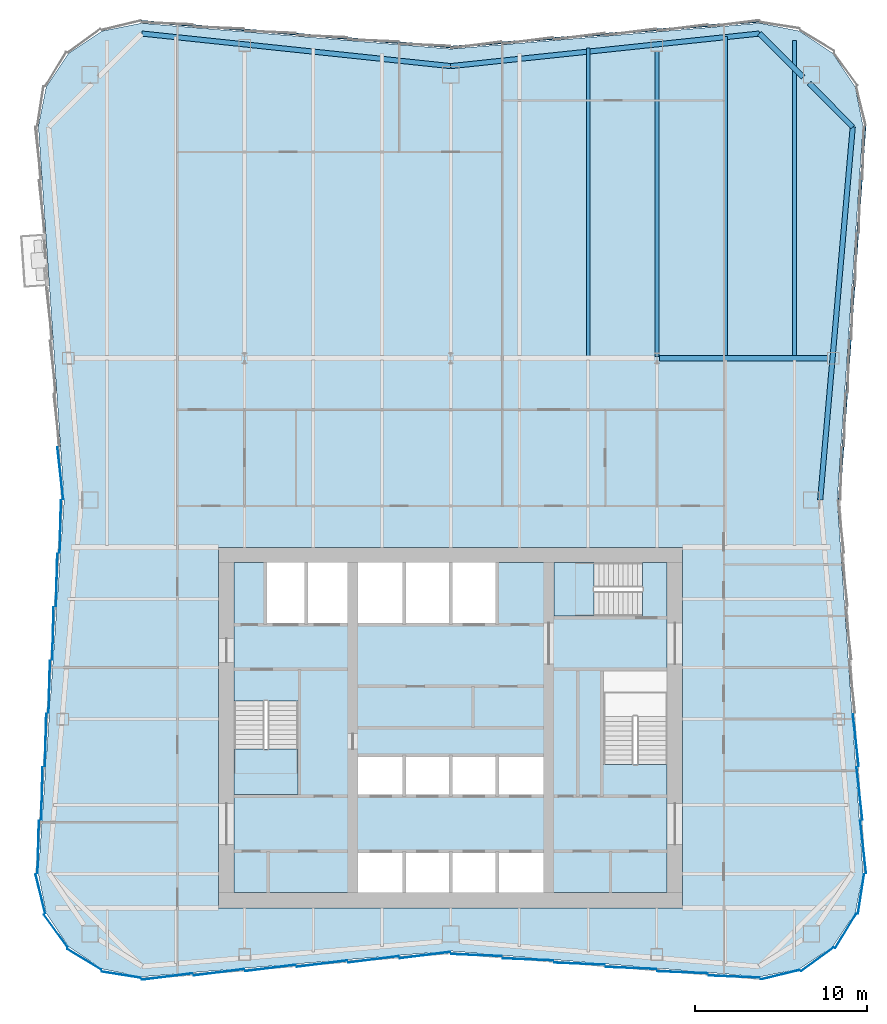
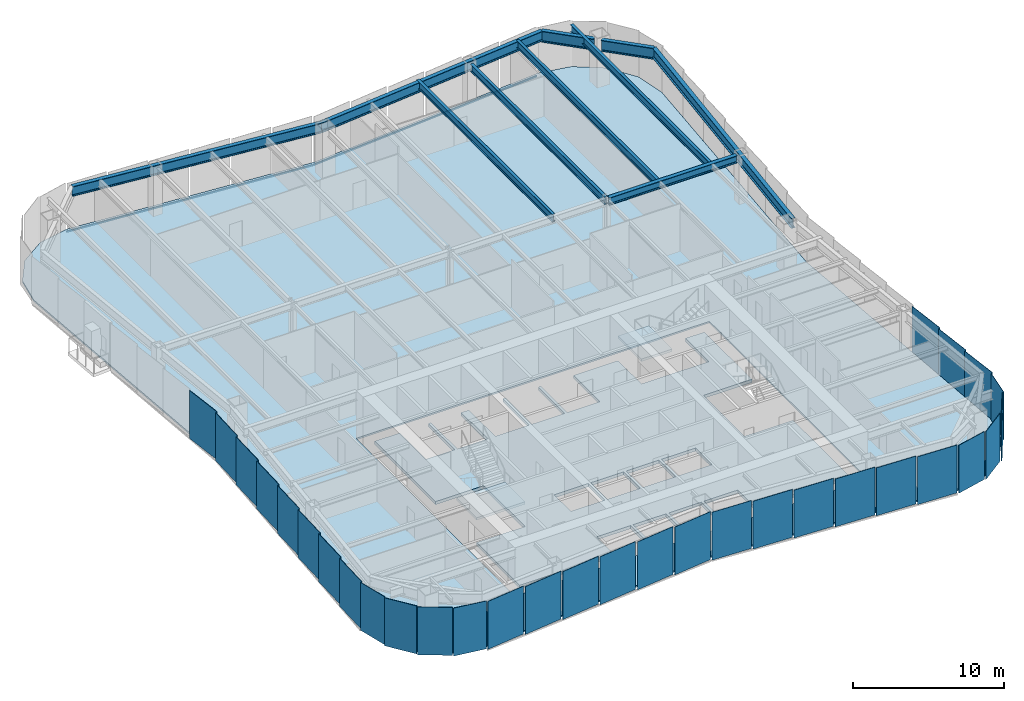
# One storey, part 3 of 10: 31 plates, 10 beams, 4 slabs, 3 members, 8 elements without a shape of their own.
"""IFC4 building model written with IfcOpenShell, lengths in metres."""

import ifcopenshell
import ifcopenshell.guid

model = None  # the IFC model being written
_history = None  # IfcOwnerHistory: only IFC2X3 demands one
_inside = {}  # id of a spatial element -> (the spatial element, [elements in it])
_under = {}  # id of a project, library or spatial element -> (it, [spatial elements below it])
_declared = {}  # id of a project -> (the project, [libraries it declares])
_typed = {}  # id of a type object -> (the type object, [elements of that type])
_made_of = {}  # id of a material, layer set ... -> (it, [elements and type objects made of it])


def new_model(schema):
    """Start an empty IFC model of exactly this schema.

    Asked for "IFC4X3", IfcOpenShell would pick the latest addendum, in which some entities
    have other attributes; the version numbers below select the first issue.
    IFC2X3 requires an IfcOwnerHistory on every rooted entity: one is made here for all.
    """
    global model, _history
    if schema == "IFC4X3":
        model = ifcopenshell.file(schema_version=(4, 3, 0, 0))
    else:
        model = ifcopenshell.file(schema=schema)
    _inside.clear()
    _under.clear()
    _declared.clear()
    _typed.clear()
    _made_of.clear()
    _history = None
    if model.schema == "IFC2X3":
        org = make("IfcOrganization", Name="unknown")
        user = make(
            "IfcPersonAndOrganization",
            ThePerson=make("IfcPerson", FamilyName="unknown"),
            TheOrganization=org,
        )
        app = make(
            "IfcApplication",
            ApplicationDeveloper=org,
            Version="unknown",
            ApplicationFullName="unknown",
            ApplicationIdentifier="unknown",
        )
        _history = make(
            "IfcOwnerHistory",
            OwningUser=user,
            OwningApplication=app,
            ChangeAction="ADDED",
            CreationDate=0,
        )
    return model


def make(cls, **values):
    """One entity of the class cls with the attributes given. An attribute that is None is left unset."""
    return model.create_entity(
        cls, **{name: value for name, value in values.items() if value is not None}
    )


def rooted(cls, **values):
    """An entity with a GlobalId (a new one), such as an element, a storey or a relation."""
    return make(cls, GlobalId=ifcopenshell.guid.new(), OwnerHistory=_history, **values)


def si_unit(unit_type, name, prefix=None):
    """IfcSIUnit, for example si_unit("LENGTHUNIT", "METRE", prefix="MILLI")."""
    return make("IfcSIUnit", UnitType=unit_type, Prefix=prefix, Name=name)


def assignment(units):
    """IfcUnitAssignment: the units of a project."""
    return None if units is None else make("IfcUnitAssignment", Units=units)


def point(xyz):
    """IfcCartesianPoint."""
    return None if xyz is None else make("IfcCartesianPoint", Coordinates=xyz)


def direction(xyz):
    """IfcDirection."""
    return None if xyz is None else make("IfcDirection", DirectionRatios=xyz)


def frame(location, z_axis=None, x_axis=None):
    """IfcAxis2Placement3D, a coordinate frame: its origin and axes. An axis left out is left unset."""
    return make(
        "IfcAxis2Placement3D",
        Location=point(location),
        Axis=direction(z_axis),
        RefDirection=direction(x_axis),
    )


def frame_2d(location, x_axis=None):
    """IfcAxis2Placement2D, a coordinate frame in the plane: its origin and x axis."""
    return make(
        "IfcAxis2Placement2D", Location=point(location), RefDirection=direction(x_axis)
    )


def origin():
    """The frame at (0, 0, 0) with its axes left unset."""
    return frame((0.0, 0.0, 0.0))


def origin_2d():
    """The frame at (0, 0) in the plane with its x axis left unset."""
    return frame_2d((0.0, 0.0))


def place(relative_to, where):
    """IfcLocalPlacement: puts the frame where relative to a parent placement (None: the world)."""
    return make(
        "IfcLocalPlacement", PlacementRelTo=relative_to, RelativePlacement=where
    )


def context(
    kind, dimensions, precision=None, world=None, true_north=None, identifier=None
):
    """IfcGeometricRepresentationContext, for example the 3D "Model" context."""
    return make(
        "IfcGeometricRepresentationContext",
        ContextIdentifier=identifier,
        ContextType=kind,
        CoordinateSpaceDimension=dimensions,
        Precision=precision,
        WorldCoordinateSystem=world,
        TrueNorth=true_north,
    )


def subcontext(parent, identifier, kind, view, scale=None):
    """IfcGeometricRepresentationSubContext, for example "Body" below "Model"."""
    return make(
        "IfcGeometricRepresentationSubContext",
        ContextIdentifier=identifier,
        ContextType=kind,
        ParentContext=parent,
        TargetScale=scale,
        TargetView=view,
    )


def project(units=None, contexts=None):
    """IfcProject with its units and contexts."""
    return rooted(
        "IfcProject",
        Name="project",
        RepresentationContexts=contexts,
        UnitsInContext=assignment(units),
    )


def spatial(cls, under=None, at=None, **own):
    """A site, building, storey or space (cls), placed at a placement, below another one or the project."""
    s = rooted(cls, ObjectPlacement=at, **own)
    if under is not None:
        _under.setdefault(under.id(), (under, []))[1].append(s)
    return s


def polyline(points):
    """IfcPolyline through the points."""
    return make("IfcPolyline", Points=[point(p) for p in points])


def profile(cls, at=None, kind="AREA", **sizes):
    """A parametric profile (cls). Its sizes go by their IFC names, for example OverallWidth=200.0."""
    return make(cls, ProfileType=kind, Position=at, **sizes)


def rectangle(**sizes):
    """IfcRectangleProfileDef."""
    return profile("IfcRectangleProfileDef", **sizes)


def i_section(**sizes):
    """IfcIShapeProfileDef."""
    return profile("IfcIShapeProfileDef", **sizes)


def outline(outer, holes=None, kind="AREA"):
    """IfcArbitraryClosedProfileDef: a profile drawn as a closed curve; with holes, ...WithVoids."""
    if holes is None:
        return make("IfcArbitraryClosedProfileDef", ProfileType=kind, OuterCurve=outer)
    return make(
        "IfcArbitraryProfileDefWithVoids",
        ProfileType=kind,
        OuterCurve=outer,
        InnerCurves=holes,
    )


def extrude(swept, where, along, depth):
    """IfcExtrudedAreaSolid: the profile swept, set in the frame where, extruded along a direction by depth."""
    return make(
        "IfcExtrudedAreaSolid",
        SweptArea=swept,
        Position=where,
        ExtrudedDirection=direction(along),
        Depth=depth,
    )


def shape(context_of_items, identifier, shape_type, items):
    """IfcShapeRepresentation: the items that make up one representation, for example the "Body"."""
    return make(
        "IfcShapeRepresentation",
        ContextOfItems=context_of_items,
        RepresentationIdentifier=identifier,
        RepresentationType=shape_type,
        Items=items,
    )


def material(Name=None, Category=None):
    """IfcMaterial."""
    return make("IfcMaterial", Name=Name, Category=Category)


def layer(
    of_material, thickness, ventilated=None, Name=None, Category=None, Priority=None
):
    """IfcMaterialLayer: one layer of a wall or slab, of a material (None: an air gap)."""
    return make(
        "IfcMaterialLayer",
        Material=of_material,
        LayerThickness=thickness,
        IsVentilated=ventilated,
        Name=Name,
        Category=Category,
        Priority=Priority,
    )


def layer_set(layers, Name=None):
    """IfcMaterialLayerSet."""
    return make("IfcMaterialLayerSet", MaterialLayers=layers, LayerSetName=Name)


def material_profile(
    of_material, cross_section, Name=None, Category=None, Priority=None
):
    """IfcMaterialProfile: a cross section and its material."""
    return make(
        "IfcMaterialProfile",
        Name=Name,
        Material=of_material,
        Profile=cross_section,
        Priority=Priority,
        Category=Category,
    )


def profile_set(profiles, Name=None, composite=None):
    """IfcMaterialProfileSet."""
    return make(
        "IfcMaterialProfileSet",
        Name=Name,
        MaterialProfiles=profiles,
        CompositeProfile=composite,
    )


def made_of(thing, what):
    """Note that an element or type object is made of a material, layer set ...; save() writes the relation."""
    if what is not None:
        _made_of.setdefault(what.id(), (what, []))[1].append(thing)
    return thing


def type_object(cls, material=None, **own):
    """A type object (cls), such as IfcWallType, which elements share."""
    return made_of(rooted(cls, **own), material)


def element(
    cls,
    number,
    at=None,
    inside=None,
    cuts=None,
    type_object=None,
    material=None,
    context=None,
    identifier="Body",
    shape_type=None,
    held_by="IfcProductDefinitionShape",
    body=None,
    shapes=None,
    **own,
):
    """One element of the class cls, such as IfcWall. Its Tag is "e" and its number.

    at: its placement. inside: the storey or other place that contains it. cuts: it is an
    opening in that element (IfcRelVoidsElement). A single representation is given by context,
    identifier, shape_type and body (its items); several are given by shapes. held_by: the class
    of the entity that holds the representations. save() writes the other relations.
    """
    e = rooted(cls, Tag="e%d" % number, ObjectPlacement=at, **own)
    if body is not None:
        shapes = [shape(context, identifier, shape_type, body)]
    if shapes is not None:
        e.Representation = make(held_by, Representations=shapes)
    if inside is not None:
        _inside.setdefault(inside.id(), (inside, []))[1].append(e)
    if cuts is not None:
        rooted(
            "IfcRelVoidsElement", RelatingBuildingElement=cuts, RelatedOpeningElement=e
        )
    if type_object is not None:
        _typed.setdefault(type_object.id(), (type_object, []))[1].append(e)
    return made_of(e, material)


def aggregate(whole, parts):
    """IfcRelAggregates: a whole, such as a stair, and the parts it consists of."""
    return rooted("IfcRelAggregates", RelatingObject=whole, RelatedObjects=parts)


def save(model, path):
    """Write the relations noted so far, then the file.

    IfcRelAggregates (storeys below a building ...), IfcRelContainedInSpatialStructure (elements
    in a storey), IfcRelDefinesByType, IfcRelAssociatesMaterial and IfcRelDeclares: one each for
    every whole, place, type object, material and project.
    """
    for whole, parts in _under.values():
        aggregate(whole, parts)
    for where, things in _inside.values():
        rooted(
            "IfcRelContainedInSpatialStructure",
            RelatedElements=things,
            RelatingStructure=where,
        )
    for kind, things in _typed.values():
        rooted("IfcRelDefinesByType", RelatedObjects=things, RelatingType=kind)
    for what, things in _made_of.values():
        rooted("IfcRelAssociatesMaterial", RelatedObjects=things, RelatingMaterial=what)
    for by, libraries in _declared.values():
        rooted("IfcRelDeclares", RelatingContext=by, RelatedDefinitions=libraries)
    model.write(path)


model = new_model("IFC4")

# Units and contexts
model_context = context("Model", 3, precision=1e-05, world=origin(), true_north=direction((0.0, 1.0)))
body_context = subcontext(model_context, "Body", "Model", "MODEL_VIEW")
ifc_project = project(units=[si_unit("LENGTHUNIT", "METRE"), si_unit("AREAUNIT", "SQUARE_METRE"), si_unit("VOLUMEUNIT", "CUBIC_METRE"), si_unit("PLANEANGLEUNIT", "RADIAN"), si_unit("MASSUNIT", "GRAM", prefix="KILO")], contexts=[model_context])

# Site, building, storey
site_placement = place(None, origin())
site = spatial("IfcSite", under=ifc_project, at=site_placement, CompositionType="ELEMENT")
building_placement = place(site_placement, origin())
building = spatial("IfcBuilding", under=site, at=building_placement, Name="Verdant Reach Tower", CompositionType="ELEMENT")
storey_placement = place(building_placement, frame((0.0, 0.0, 214.0)))
storey = spatial("IfcBuildingStorey", under=building, at=storey_placement, Name="L49", CompositionType="ELEMENT", Elevation=214.0)

# Curtain wall, member
ifc_material_1 = material(Name="Anodised aluminium", Category="aluminium")
curtain_wall_type = type_object("IfcCurtainWallType", Name="EN-CW SYSTEM Z3", PredefinedType="NOTDEFINED", material=ifc_material_1)
curtain_wall_1_placement = place(storey_placement, origin())
curtain_wall_1 = element("IfcCurtainWall", 1, at=curtain_wall_1_placement, inside=storey, type_object=curtain_wall_type, Name="Curtain wall east, L49", PredefinedType="NOTDEFINED")
ifc_material_profile_1 = material_profile(ifc_material_1, rectangle(XDim=0.10009765625, YDim=0.1259765625, at=origin_2d()), Name="Transom 126x100")
ifc_profile_set_1 = profile_set([ifc_material_profile_1], Name="Anodised aluminium")
member_type = type_object("IfcMemberType", Name="EN-TRANSOM Z3", PredefinedType="USERDEFINED", material=ifc_profile_set_1)
member_1_placement = place(storey_placement, frame((22.611328125, 41.282958984375, -0.287109375), z_axis=(0.068764326054, 0.997632932226, 0.0), x_axis=(-0.997632932226, 0.068764326054, 0.0)))
member_1 = element("IfcMember", 2, at=member_1_placement, type_object=member_type, Name="Transom east face part 2 1.1, L49", ObjectType="TRANSOM", PredefinedType="USERDEFINED", context=body_context, shape_type="SweptSolid", body=[
    extrude(rectangle(XDim=0.10009765625, YDim=0.1259765625, at=origin_2d()), origin(), (0.0, 0.0, 1.0), 21.74267578125),
])

# Curtain wall, members
curtain_wall_2_placement = place(storey_placement, origin())
curtain_wall_2 = element("IfcCurtainWall", 3, at=curtain_wall_2_placement, inside=storey, type_object=curtain_wall_type, Name="Curtain wall north, L49", PredefinedType="NOTDEFINED")
member_2_placement = place(storey_placement, frame((17.973388671875, 69.106201171875, -0.287109375), z_axis=(-0.996548750467, -0.083009565369, 0.0), x_axis=(0.083009565369, -0.996548750467, 0.0)))
member_2 = element("IfcMember", 4, at=member_2_placement, type_object=member_type, Name="Transom north face part 1 1.1, L49", ObjectType="TRANSOM", PredefinedType="USERDEFINED", context=body_context, shape_type="SweptSolid", body=[
    extrude(rectangle(XDim=0.10009765625, YDim=0.1259765625, at=origin_2d()), origin(), (0.0, 0.0, 1.0), 18.00244140625),
])
member_3_placement = place(storey_placement, frame((-0.032958984375, 67.61181640625, -0.287109375), z_axis=(-0.996548750467, 0.083009565369, 0.0), x_axis=(-0.083009565369, -0.996548750467, 0.0)))
member_3 = element("IfcMember", 5, at=member_3_placement, type_object=member_type, Name="Transom north face part 2 1.1, L49", ObjectType="TRANSOM", PredefinedType="USERDEFINED", context=body_context, shape_type="SweptSolid", body=[
    extrude(rectangle(XDim=0.10009765625, YDim=0.1259765625, at=origin_2d()), origin(), (0.0, 0.0, 1.0), 18.00244140625),
])
aggregate(curtain_wall_2, [member_2, member_3])

# Beams
ifc_material_2 = material(Name="Steel S355", Category="steel")
ifc_material_profile_2 = material_profile(ifc_material_2, i_section(OverallWidth=0.300048828125, OverallDepth=0.60009765625, WebThickness=0.015380859375, FlangeThickness=0.030029296875, FilletRadius=0.027099609375, at=origin_2d()), Name="HEB 600")
ifc_profile_set_2 = profile_set([ifc_material_profile_2], Name="Steel S355")
beam_type_1 = type_object("IfcBeamType", Name="ST-BEAM-HEB600", PredefinedType="BEAM", material=ifc_profile_set_2)
beam_1_placement = place(storey_placement, frame((12.152587890625, 49.5, 3.570068359375), z_axis=(1.0, 0.0, 0.0), x_axis=(0.0, 1.0, 0.0)))
element("IfcBeam", 6, at=beam_1_placement, inside=storey, type_object=beam_type_1, Name="Row girder, L49", PredefinedType="BEAM", context=body_context, shape_type="SweptSolid", body=[
    extrude(i_section(OverallWidth=0.300048828125, OverallDepth=0.60009765625, WebThickness=0.015380859375, FlangeThickness=0.030029296875, FilletRadius=0.027099609375, at=origin_2d()), origin(), (0.0, 0.0, 1.0), 9.766357421875),
])
ifc_material_profile_3 = material_profile(ifc_material_2, i_section(OverallWidth=0.219970703125, OverallDepth=0.60009765625, WebThickness=0.011962890625, FlangeThickness=0.01904296875, FilletRadius=0.02392578125, at=origin_2d()), Name="IPE 600")
ifc_profile_set_3 = profile_set([ifc_material_profile_3], Name="Steel S355")
beam_type_2 = type_object("IfcBeamType", Name="ST-JOIST-IPE600", PredefinedType="JOIST", material=ifc_profile_set_3)
beam_2_placement = place(storey_placement, frame((8.0, 49.60009765625, 3.570068359375), z_axis=(0.0, 1.0, 0.0), x_axis=(-1.0, 0.0, 0.0)))
element("IfcBeam", 7, at=beam_2_placement, inside=storey, type_object=beam_type_2, Name="Floor joist, L49", PredefinedType="JOIST", context=body_context, shape_type="SweptSolid", body=[
    extrude(i_section(OverallWidth=0.219970703125, OverallDepth=0.60009765625, WebThickness=0.011962890625, FlangeThickness=0.01904296875, FilletRadius=0.02392578125, at=origin_2d()), origin(), (0.0, 0.0, 1.0), 17.964599609375),
])
beam_3_placement = place(storey_placement, frame((12.0, 49.60009765625, 3.570068359375), z_axis=(0.0, 1.0, 0.0), x_axis=(-1.0, 0.0, 0.0)))
element("IfcBeam", 8, at=beam_3_placement, inside=storey, type_object=beam_type_2, Name="Floor joist, L49", PredefinedType="JOIST", context=body_context, shape_type="SweptSolid", body=[
    extrude(i_section(OverallWidth=0.219970703125, OverallDepth=0.60009765625, WebThickness=0.011962890625, FlangeThickness=0.01904296875, FilletRadius=0.02392578125, at=origin_2d()), origin(), (0.0, 0.0, 1.0), 17.75),
])
beam_4_placement = place(storey_placement, frame((16.0, 49.60009765625, 3.570068359375), z_axis=(0.0, 1.0, 0.0), x_axis=(-1.0, 0.0, 0.0)))
element("IfcBeam", 9, at=beam_4_placement, inside=storey, type_object=beam_type_2, Name="Floor joist, L49", PredefinedType="JOIST", context=body_context, shape_type="SweptSolid", body=[
    extrude(i_section(OverallWidth=0.219970703125, OverallDepth=0.60009765625, WebThickness=0.011962890625, FlangeThickness=0.01904296875, FilletRadius=0.02392578125, at=origin_2d()), origin(), (0.0, 0.0, 1.0), 18.631103515625),
])
beam_5_placement = place(storey_placement, frame((20.0, 49.60009765625, 3.570068359375), z_axis=(0.0, 1.0, 0.0), x_axis=(-1.0, 0.0, 0.0)))
element("IfcBeam", 10, at=beam_5_placement, inside=storey, type_object=beam_type_2, Name="Floor joist, L49", PredefinedType="JOIST", context=body_context, shape_type="SweptSolid", body=[
    extrude(i_section(OverallWidth=0.219970703125, OverallDepth=0.60009765625, WebThickness=0.011962890625, FlangeThickness=0.01904296875, FilletRadius=0.02392578125, at=origin_2d()), origin(), (0.0, 0.0, 1.0), 18.390380859375),
])
ifc_material_profile_4 = material_profile(ifc_material_2, i_section(OverallWidth=0.300048828125, OverallDepth=0.800048828125, WebThickness=0.017578125, FlangeThickness=0.032958984375, FilletRadius=0.030029296875, at=origin_2d()), Name="HEB 800")
ifc_profile_set_4 = profile_set([ifc_material_profile_4], Name="Steel S355")
beam_type_3 = type_object("IfcBeamType", Name="ST-SPANDREL-HEB800", PredefinedType="SPANDREL", material=ifc_profile_set_4)
for number, where, z_axis, x_axis, name in (
    (11, (-17.9658203125, 68.39501953125, 3.469970703125), (0.994483067002, -0.104897232783, 0.0), (0.104897232783, 0.994483067002, 0.0), "Edge beam, L49"),
    (12, (0.0, 66.5, 3.469970703125), (0.994483067002, 0.104897232783, 0.0), (-0.104897232783, 0.994483067002, 0.0), "Edge beam, L49"),
):
    element("IfcBeam", number, at=place(storey_placement, frame(where, z_axis=z_axis, x_axis=x_axis)), inside=storey, type_object=beam_type_3, Name=name, PredefinedType="SPANDREL", context=body_context, shape_type="SweptSolid", body=[
        extrude(i_section(OverallWidth=0.300048828125, OverallDepth=0.800048828125, WebThickness=0.017578125, FlangeThickness=0.032958984375, FilletRadius=0.030029296875, at=origin_2d()), origin(), (0.0, 0.0, 1.0), 18.0654296875),
    ])
beam_6_placement = place(storey_placement, frame((23.39599609375, 62.96142578125, 3.469970703125), z_axis=(-0.086996024331, -0.996208658741, 0.0), x_axis=(0.996208658741, -0.086996024331, 0.0)))
element("IfcBeam", 13, at=beam_6_placement, inside=storey, type_object=beam_type_3, Name="Edge beam, L49", PredefinedType="SPANDREL", context=body_context, shape_type="SweptSolid", body=[
    extrude(i_section(OverallWidth=0.300048828125, OverallDepth=0.800048828125, WebThickness=0.017578125, FlangeThickness=0.032958984375, FilletRadius=0.030029296875, at=origin_2d()), origin(), (0.0, 0.0, 1.0), 21.7939453125),
])
ifc_material_profile_5 = material_profile(ifc_material_2, i_section(OverallWidth=0.302001953125, OverallDepth=0.909912109375, WebThickness=0.02099609375, FlangeThickness=0.0400390625, FilletRadius=0.030029296875, at=origin_2d()), Name="HEM 900")
ifc_profile_set_5 = profile_set([ifc_material_profile_5], Name="Steel S355")
beam_type_4 = type_object("IfcBeamType", Name="ST-SPANDREL-HEM900", PredefinedType="SPANDREL", material=ifc_profile_set_5)
beam_7_placement = place(storey_placement, frame((17.9658203125, 68.39501953125, 3.4150390625), z_axis=(0.706868394255, -0.707345087777, 0.0), x_axis=(0.707345087777, 0.706868394255, 0.0)))
element("IfcBeam", 14, at=beam_7_placement, inside=storey, type_object=beam_type_4, Name="Edge beam, L49", PredefinedType="SPANDREL", context=body_context, shape_type="SweptSolid", body=[
    extrude(i_section(OverallWidth=0.302001953125, OverallDepth=0.909912109375, WebThickness=0.02099609375, FlangeThickness=0.0400390625, FilletRadius=0.030029296875, at=origin_2d()), origin(), (0.0, 0.0, 1.0), 3.5849609375),
])
beam_8_placement = place(storey_placement, frame((20.85888671875, 65.5, 3.4150390625), z_axis=(0.706902680526, -0.707310822952, 0.0), x_axis=(0.707310822952, 0.706902680526, 0.0)))
element("IfcBeam", 15, at=beam_8_placement, inside=storey, type_object=beam_type_4, Name="Edge beam, L49", PredefinedType="SPANDREL", context=body_context, shape_type="SweptSolid", body=[
    extrude(i_section(OverallWidth=0.302001953125, OverallDepth=0.909912109375, WebThickness=0.02099609375, FlangeThickness=0.0400390625, FilletRadius=0.030029296875, at=origin_2d()), origin(), (0.0, 0.0, 1.0), 3.589111328125),
])

# Stair, slab
ifc_material_3 = material(Name="Concrete C40/50", Category="concrete")
stair_type = type_object("IfcStairType", Name="CO-STAIR", PredefinedType="HALF_TURN_STAIR", material=ifc_material_3)
stair_1_placement = place(storey_placement, origin())
stair_1 = element("IfcStair", 16, at=stair_1_placement, inside=storey, type_object=stair_type, Name="L49 Exit stair 1", PredefinedType="HALF_TURN_STAIR")
ifc_layer_1 = layer(ifc_material_3, 0.199951171875)
ifc_layer_set_1 = layer_set([ifc_layer_1], Name="CO-STAIR-LANDING")
slab_type_1 = type_object("IfcSlabType", Name="CO-STAIR-LANDING", PredefinedType="LANDING", material=ifc_layer_set_1)
slab_1_placement = place(storey_placement, frame((0.0, 0.0, 1.800048828125)))
slab_1 = element("IfcSlab", 17, at=slab_1_placement, type_object=slab_type_1, Name="ST-1 landing 1", PredefinedType="LANDING", context=body_context, shape_type="SweptSolid", body=[
    extrude(outline(polyline([(-12.60009765625, 26.75), (-12.60009765625, 24.10009765625), (-8.89990234375, 24.10009765625), (-8.89990234375, 26.75), (-12.60009765625, 26.75)])), origin(), (0.0, 0.0, 1.0), 0.199951171875),
])
aggregate(stair_1, [slab_1])

stair_2_placement = place(storey_placement, origin())
stair_2 = element("IfcStair", 18, at=stair_2_placement, inside=storey, type_object=stair_type, Name="L49 Exit stair 3", PredefinedType="HALF_TURN_STAIR")
slab_2_placement = place(storey_placement, frame((0.0, 0.0, 1.800048828125)))
slab_2 = element("IfcSlab", 19, at=slab_2_placement, type_object=slab_type_1, Name="ST-3 landing 1", PredefinedType="LANDING", context=body_context, shape_type="SweptSolid", body=[
    extrude(outline(polyline([(8.35009765625, 37.60009765625), (6.0, 37.60009765625), (6.0, 34.5), (8.35009765625, 34.5), (8.35009765625, 37.60009765625)])), origin(), (0.0, 0.0, 1.0), 0.199951171875),
])
aggregate(stair_2, [slab_2])

# Curtain wall, plate
curtain_wall_3_placement = place(storey_placement, origin())
curtain_wall_3 = element("IfcCurtainWall", 20, at=curtain_wall_3_placement, inside=storey, type_object=curtain_wall_type, Name="Curtain wall south-east corner, L49", PredefinedType="NOTDEFINED")
ifc_material_4 = material(Name="Tinted glass with champagne spandrel", Category="glass")
ifc_layer_2 = layer(ifc_material_4, 0.031982421875)
ifc_layer_set_2 = layer_set([ifc_layer_2], Name="EN-PANEL CHAMPAGNE")
plate_type_1 = type_object("IfcPlateType", Name="EN-PANEL CHAMPAGNE", PredefinedType="CURTAIN_PANEL", material=ifc_layer_set_2)
plate_1_placement = place(storey_placement, frame((19.171875, 13.62353515625, -0.22412109375), z_axis=(0.0, 0.0, 1.0), x_axis=(0.971655117833, 0.236402901821, 0.0)))
plate_1 = element("IfcPlate", 21, at=plate_1_placement, type_object=plate_type_1, Name="Glass panel south-east corner 1.1, L49", PredefinedType="CURTAIN_PANEL", context=body_context, shape_type="SweptSolid", body=[
    extrude(rectangle(XDim=2.3154296875, YDim=0.031982421875, at=origin_2d()), origin(), (0.0, 0.0, 1.0), 3.8740234375),
])

# Curtain wall, plates
curtain_wall_4_placement = place(storey_placement, origin())
curtain_wall_4 = element("IfcCurtainWall", 22, at=curtain_wall_4_placement, inside=storey, type_object=curtain_wall_type, Name="Curtain wall west, L49", PredefinedType="NOTDEFINED")
plate_2_placement = place(storey_placement, frame((-23.14453125, 33.48974609375, -0.22412109375), z_axis=(0.0, 0.0, 1.0), x_axis=(-0.026965318308, -0.999636369691, 0.0)))
plate_2 = element("IfcPlate", 23, at=plate_2_placement, type_object=plate_type_1, Name="Glass panel west face part 2 3.1, L49", PredefinedType="CURTAIN_PANEL", context=body_context, shape_type="SweptSolid", body=[
    extrude(rectangle(XDim=3.052490234375, YDim=0.031982421875, at=origin_2d()), origin(), (0.0, 0.0, 1.0), 3.8740234375),
])
plate_3_placement = place(storey_placement, frame((-23.358642578125, 30.382568359375, -0.22412109375), z_axis=(0.0, 0.0, 1.0), x_axis=(-0.026965318308, -0.999636369691, 0.0)))
plate_3 = element("IfcPlate", 24, at=plate_3_placement, type_object=plate_type_1, Name="Glass panel west face part 2 4.1, L49", PredefinedType="CURTAIN_PANEL", context=body_context, shape_type="SweptSolid", body=[
    extrude(rectangle(XDim=3.052490234375, YDim=0.031982421875, at=origin_2d()), origin(), (0.0, 0.0, 1.0), 3.8740234375),
])

curtain_wall_5_placement = place(storey_placement, origin())
curtain_wall_5 = element("IfcCurtainWall", 25, at=curtain_wall_5_placement, inside=storey, type_object=curtain_wall_type, Name="Curtain wall south-west corner, L49", PredefinedType="NOTDEFINED")
plate_4_placement = place(storey_placement, frame((-23.87646484375, 18.32763671875, -0.22412109375), z_axis=(0.0, 0.0, 1.0), x_axis=(0.23644624331, -0.97164457186, 0.0)))
plate_4 = element("IfcPlate", 26, at=plate_4_placement, type_object=plate_type_1, Name="Glass panel south-west corner 1.1, L49", PredefinedType="CURTAIN_PANEL", context=body_context, shape_type="SweptSolid", body=[
    extrude(rectangle(XDim=2.314697265625, YDim=0.031982421875, at=origin_2d()), origin(), (0.0, 0.0, 1.0), 3.8740234375),
])
plate_5_placement = place(storey_placement, frame((-22.98193359375, 16.171142578125, -0.22412109375), z_axis=(0.0, 0.0, 1.0), x_axis=(0.589926747542, -0.807456768214, 0.0)))
plate_5 = element("IfcPlate", 27, at=plate_5_placement, type_object=plate_type_1, Name="Glass panel south-west corner 2.1, L49", PredefinedType="CURTAIN_PANEL", context=body_context, shape_type="SweptSolid", body=[
    extrude(rectangle(XDim=2.321533203125, YDim=0.031982421875, at=origin_2d()), origin(), (0.0, 0.0, 1.0), 3.8740234375),
])
plate_6_placement = place(storey_placement, frame((-21.328857421875, 14.51806640625, -0.22412109375), z_axis=(0.0, 0.0, 1.0), x_axis=(0.853988701636, -0.520291550457, 0.0)))
plate_6 = element("IfcPlate", 28, at=plate_6_placement, type_object=plate_type_1, Name="Glass panel south-west corner 3.1, L49", PredefinedType="CURTAIN_PANEL", context=body_context, shape_type="SweptSolid", body=[
    extrude(rectangle(XDim=2.321533203125, YDim=0.031982421875, at=origin_2d()), origin(), (0.0, 0.0, 1.0), 3.8740234375),
])

curtain_wall_6_placement = place(storey_placement, origin())
curtain_wall_6 = element("IfcCurtainWall", 29, at=curtain_wall_6_placement, inside=storey, type_object=curtain_wall_type, Name="Curtain wall south, L49", PredefinedType="NOTDEFINED")
plate_7_placement = place(storey_placement, frame((-16.49853515625, 13.516357421875, -0.22412109375), z_axis=(0.0, 0.0, 1.0), x_axis=(0.992237766434, 0.124355196363, 0.0)))
plate_7 = element("IfcPlate", 30, at=plate_7_placement, type_object=plate_type_1, Name="Glass panel south face part 1 1.1, L49", PredefinedType="CURTAIN_PANEL", context=body_context, shape_type="SweptSolid", body=[
    extrude(rectangle(XDim=2.963623046875, YDim=0.031982421875, at=origin_2d()), origin(), (0.0, 0.0, 1.0), 3.8740234375),
])
plate_8_placement = place(storey_placement, frame((1.495361328125, 14.76611328125, -0.22412109375), z_axis=(0.0, 0.0, 1.0), x_axis=(0.999144020525, -0.041366970501, 0.0)))
plate_8 = element("IfcPlate", 31, at=plate_8_placement, type_object=plate_type_1, Name="Glass panel south face part 2 1.1, L49", PredefinedType="CURTAIN_PANEL", context=body_context, shape_type="SweptSolid", body=[
    extrude(rectangle(XDim=2.939453125, YDim=0.031982421875, at=origin_2d()), origin(), (0.0, 0.0, 1.0), 3.8740234375),
])
plate_9_placement = place(storey_placement, frame((4.490966796875, 14.516357421875, -0.22412109375), z_axis=(0.0, 0.0, 1.0), x_axis=(0.999149202059, -0.041241629766, 0.0)))
plate_9 = element("IfcPlate", 32, at=plate_9_placement, type_object=plate_type_1, Name="Glass panel south face part 2 2.1, L49", PredefinedType="CURTAIN_PANEL", context=body_context, shape_type="SweptSolid", body=[
    extrude(rectangle(XDim=2.948486328125, YDim=0.031982421875, at=origin_2d()), origin(), (0.0, 0.0, 1.0), 3.8740234375),
])

# Plate
ifc_material_5 = material(Name="Tinted glass with copper spandrel", Category="glass")
ifc_layer_3 = layer(ifc_material_5, 0.031982421875)
ifc_layer_set_3 = layer_set([ifc_layer_3], Name="EN-PANEL COPPER")
plate_type_2 = type_object("IfcPlateType", Name="EN-PANEL COPPER", PredefinedType="CURTAIN_PANEL", material=ifc_layer_set_3)
plate_10_placement = place(storey_placement, frame((21.328857421875, 14.51806640625, -0.22412109375), z_axis=(0.0, 0.0, 1.0), x_axis=(0.807456768214, 0.589926747542, 0.0)))
plate_10 = element("IfcPlate", 33, at=plate_10_placement, type_object=plate_type_2, Name="Glass panel south-east corner 2.1, L49", PredefinedType="CURTAIN_PANEL", context=body_context, shape_type="SweptSolid", body=[
    extrude(rectangle(XDim=2.321533203125, YDim=0.031982421875, at=origin_2d()), origin(), (0.0, 0.0, 1.0), 3.8740234375),
])

plate_11_placement = place(storey_placement, frame((22.98193359375, 16.171142578125, -0.22412109375), z_axis=(0.0, 0.0, 1.0), x_axis=(0.520291550457, 0.853988701636, 0.0)))
plate_11 = element("IfcPlate", 34, at=plate_11_placement, type_object=plate_type_2, Name="Glass panel south-east corner 3.1, L49", PredefinedType="CURTAIN_PANEL", context=body_context, shape_type="SweptSolid", body=[
    extrude(rectangle(XDim=2.321533203125, YDim=0.031982421875, at=origin_2d()), origin(), (0.0, 0.0, 1.0), 3.8740234375),
])

plate_12_placement = place(storey_placement, frame((24.001708984375, 21.053955078125, -0.22412109375), z_axis=(0.0, 0.0, 1.0), x_axis=(-0.110214229533, 0.993907854687, 0.0)))
plate_12 = element("IfcPlate", 35, at=plate_12_placement, type_object=plate_type_2, Name="Glass panel east face part 1 1.1, L49", PredefinedType="CURTAIN_PANEL", context=body_context, shape_type="SweptSolid", body=[
    extrude(rectangle(XDim=3.06689453125, YDim=0.031982421875, at=origin_2d()), origin(), (0.0, 0.0, 1.0), 3.8740234375),
])

plate_13_placement = place(storey_placement, frame((-23.572998046875, 27.275390625, -0.22412109375), z_axis=(0.0, 0.0, 1.0), x_axis=(-0.026965318308, -0.999636369691, 0.0)))
plate_13 = element("IfcPlate", 36, at=plate_13_placement, type_object=plate_type_2, Name="Glass panel west face part 2 5.1, L49", PredefinedType="CURTAIN_PANEL", context=body_context, shape_type="SweptSolid", body=[
    extrude(rectangle(XDim=3.052490234375, YDim=0.031982421875, at=origin_2d()), origin(), (0.0, 0.0, 1.0), 3.8740234375),
])

plate_14_placement = place(storey_placement, frame((-23.787353515625, 24.168212890625, -0.22412109375), z_axis=(0.0, 0.0, 1.0), x_axis=(-0.026965318308, -0.999636369691, 0.0)))
plate_14 = element("IfcPlate", 37, at=plate_14_placement, type_object=plate_type_2, Name="Glass panel west face part 2 6.1, L49", PredefinedType="CURTAIN_PANEL", context=body_context, shape_type="SweptSolid", body=[
    extrude(rectangle(XDim=3.052490234375, YDim=0.031982421875, at=origin_2d()), origin(), (0.0, 0.0, 1.0), 3.8740234375),
])

plate_15_placement = place(storey_placement, frame((-24.001708984375, 21.053955078125, -0.22412109375), z_axis=(0.0, 0.0, 1.0), x_axis=(-0.026659626966, -0.999644568979, 0.0)))
plate_15 = element("IfcPlate", 38, at=plate_15_placement, type_object=plate_type_2, Name="Glass panel west face part 2 7.1, L49", PredefinedType="CURTAIN_PANEL", context=body_context, shape_type="SweptSolid", body=[
    extrude(rectangle(XDim=3.06689453125, YDim=0.031982421875, at=origin_2d()), origin(), (0.0, 0.0, 1.0), 3.8740234375),
])

plate_16_placement = place(storey_placement, frame((-19.171875, 13.62353515625, -0.22412109375), z_axis=(0.0, 0.0, 1.0), x_axis=(0.988029071555, -0.154267798848, 0.0)))
plate_16 = element("IfcPlate", 39, at=plate_16_placement, type_object=plate_type_2, Name="Glass panel south-west corner 4.1, L49", PredefinedType="CURTAIN_PANEL", context=body_context, shape_type="SweptSolid", body=[
    extrude(rectangle(XDim=2.3154296875, YDim=0.031982421875, at=origin_2d()), origin(), (0.0, 0.0, 1.0), 3.8740234375),
])

aggregate(curtain_wall_5, [plate_4, plate_5, plate_6, plate_16])

plate_17_placement = place(storey_placement, frame((-13.490966796875, 13.766357421875, -0.22412109375), z_axis=(0.0, 0.0, 1.0), x_axis=(0.992194034542, 0.124703639961, 0.0)))
plate_17 = element("IfcPlate", 40, at=plate_17_placement, type_object=plate_type_2, Name="Glass panel south face part 1 2.1, L49", PredefinedType="CURTAIN_PANEL", context=body_context, shape_type="SweptSolid", body=[
    extrude(rectangle(XDim=2.948486328125, YDim=0.031982421875, at=origin_2d()), origin(), (0.0, 0.0, 1.0), 3.8740234375),
])

plate_18_placement = place(storey_placement, frame((-10.490966796875, 14.016357421875, -0.22412109375), z_axis=(0.0, 0.0, 1.0), x_axis=(0.992194034542, 0.124703639961, 0.0)))
plate_18 = element("IfcPlate", 41, at=plate_18_placement, type_object=plate_type_2, Name="Glass panel south face part 1 3.1, L49", PredefinedType="CURTAIN_PANEL", context=body_context, shape_type="SweptSolid", body=[
    extrude(rectangle(XDim=2.948486328125, YDim=0.031982421875, at=origin_2d()), origin(), (0.0, 0.0, 1.0), 3.8740234375),
])

plate_19_placement = place(storey_placement, frame((7.490966796875, 14.266357421875, -0.22412109375), z_axis=(0.0, 0.0, 1.0), x_axis=(0.999149202059, -0.041241629766, 0.0)))
plate_19 = element("IfcPlate", 42, at=plate_19_placement, type_object=plate_type_2, Name="Glass panel south face part 2 3.1, L49", PredefinedType="CURTAIN_PANEL", context=body_context, shape_type="SweptSolid", body=[
    extrude(rectangle(XDim=2.948486328125, YDim=0.031982421875, at=origin_2d()), origin(), (0.0, 0.0, 1.0), 3.8740234375),
])

plate_20_placement = place(storey_placement, frame((10.490966796875, 14.016357421875, -0.22412109375), z_axis=(0.0, 0.0, 1.0), x_axis=(0.999149202059, -0.041241629766, 0.0)))
plate_20 = element("IfcPlate", 43, at=plate_20_placement, type_object=plate_type_2, Name="Glass panel south face part 2 4.1, L49", PredefinedType="CURTAIN_PANEL", context=body_context, shape_type="SweptSolid", body=[
    extrude(rectangle(XDim=2.948486328125, YDim=0.031982421875, at=origin_2d()), origin(), (0.0, 0.0, 1.0), 3.8740234375),
])

plate_21_placement = place(storey_placement, frame((13.490966796875, 13.766357421875, -0.22412109375), z_axis=(0.0, 0.0, 1.0), x_axis=(0.999149202059, -0.041241629766, 0.0)))
plate_21 = element("IfcPlate", 44, at=plate_21_placement, type_object=plate_type_2, Name="Glass panel south face part 2 5.1, L49", PredefinedType="CURTAIN_PANEL", context=body_context, shape_type="SweptSolid", body=[
    extrude(rectangle(XDim=2.948486328125, YDim=0.031982421875, at=origin_2d()), origin(), (0.0, 0.0, 1.0), 3.8740234375),
])

ifc_material_6 = material(Name="Tinted glass with dark bronze spandrel", Category="glass")
ifc_layer_4 = layer(ifc_material_6, 0.031982421875)
ifc_layer_set_4 = layer_set([ifc_layer_4], Name="EN-PANEL DARK")
plate_type_3 = type_object("IfcPlateType", Name="EN-PANEL DARK", PredefinedType="CURTAIN_PANEL", material=ifc_layer_set_4)
plate_22_placement = place(storey_placement, frame((23.87646484375, 18.32763671875, -0.22412109375), z_axis=(0.0, 0.0, 1.0), x_axis=(0.154311870796, 0.988022189291, 0.0)))
plate_22 = element("IfcPlate", 45, at=plate_22_placement, type_object=plate_type_3, Name="Glass panel south-east corner 4.1, L49", PredefinedType="CURTAIN_PANEL", context=body_context, shape_type="SweptSolid", body=[
    extrude(rectangle(XDim=2.314697265625, YDim=0.031982421875, at=origin_2d()), origin(), (0.0, 0.0, 1.0), 3.8740234375),
])

aggregate(curtain_wall_3, [plate_1, plate_10, plate_11, plate_22])

plate_23_placement = place(storey_placement, frame((23.787353515625, 24.168212890625, -0.22412109375), z_axis=(0.0, 0.0, 1.0), x_axis=(-0.110518162674, 0.993874104562, 0.0)))
plate_23 = element("IfcPlate", 46, at=plate_23_placement, type_object=plate_type_3, Name="Glass panel east face part 1 2.1, L49", PredefinedType="CURTAIN_PANEL", context=body_context, shape_type="SweptSolid", body=[
    extrude(rectangle(XDim=3.052490234375, YDim=0.031982421875, at=origin_2d()), origin(), (0.0, 0.0, 1.0), 3.8740234375),
])

plate_24_placement = place(storey_placement, frame((23.572998046875, 27.275390625, -0.22412109375), z_axis=(0.0, 0.0, 1.0), x_axis=(-0.110518162674, 0.993874104562, 0.0)))
plate_24 = element("IfcPlate", 47, at=plate_24_placement, type_object=plate_type_3, Name="Glass panel east face part 1 3.1, L49", PredefinedType="CURTAIN_PANEL", context=body_context, shape_type="SweptSolid", body=[
    extrude(rectangle(XDim=3.052490234375, YDim=0.031982421875, at=origin_2d()), origin(), (0.0, 0.0, 1.0), 3.8740234375),
])

aggregate(curtain_wall_1, [plate_12, plate_23, plate_24, member_1])

plate_25_placement = place(storey_placement, frame((-22.716064453125, 42.7998046875, -0.22412109375), z_axis=(0.0, 0.0, 1.0), x_axis=(0.110600785385, -0.993864913493, 0.0)))
plate_25 = element("IfcPlate", 48, at=plate_25_placement, type_object=plate_type_3, Name="Glass panel west face part 1 7.1, L49", PredefinedType="CURTAIN_PANEL", context=body_context, shape_type="SweptSolid", body=[
    extrude(rectangle(XDim=3.044921875, YDim=0.031982421875, at=origin_2d()), origin(), (0.0, 0.0, 1.0), 3.8740234375),
])

plate_26_placement = place(storey_placement, frame((-22.716064453125, 39.7001953125, -0.22412109375), z_axis=(0.0, 0.0, 1.0), x_axis=(-0.027048420339, -0.999634124546, 0.0)))
plate_26 = element("IfcPlate", 49, at=plate_26_placement, type_object=plate_type_3, Name="Glass panel west face part 2 1.1, L49", PredefinedType="CURTAIN_PANEL", context=body_context, shape_type="SweptSolid", body=[
    extrude(rectangle(XDim=3.044921875, YDim=0.031982421875, at=origin_2d()), origin(), (0.0, 0.0, 1.0), 3.8740234375),
])

plate_27_placement = place(storey_placement, frame((-22.93017578125, 36.5966796875, -0.22412109375), z_axis=(0.0, 0.0, 1.0), x_axis=(-0.026965318308, -0.999636369691, 0.0)))
plate_27 = element("IfcPlate", 50, at=plate_27_placement, type_object=plate_type_3, Name="Glass panel west face part 2 2.1, L49", PredefinedType="CURTAIN_PANEL", context=body_context, shape_type="SweptSolid", body=[
    extrude(rectangle(XDim=3.052490234375, YDim=0.031982421875, at=origin_2d()), origin(), (0.0, 0.0, 1.0), 3.8740234375),
])

aggregate(curtain_wall_4, [plate_25, plate_26, plate_27, plate_2, plate_3, plate_13, plate_14, plate_15])

plate_28_placement = place(storey_placement, frame((-7.490966796875, 14.266357421875, -0.22412109375), z_axis=(0.0, 0.0, 1.0), x_axis=(0.992194034542, 0.124703639961, 0.0)))
plate_28 = element("IfcPlate", 51, at=plate_28_placement, type_object=plate_type_3, Name="Glass panel south face part 1 4.1, L49", PredefinedType="CURTAIN_PANEL", context=body_context, shape_type="SweptSolid", body=[
    extrude(rectangle(XDim=2.948486328125, YDim=0.031982421875, at=origin_2d()), origin(), (0.0, 0.0, 1.0), 3.8740234375),
])

plate_29_placement = place(storey_placement, frame((-4.490966796875, 14.516357421875, -0.22412109375), z_axis=(0.0, 0.0, 1.0), x_axis=(0.992194034542, 0.124703639961, 0.0)))
plate_29 = element("IfcPlate", 52, at=plate_29_placement, type_object=plate_type_3, Name="Glass panel south face part 1 5.1, L49", PredefinedType="CURTAIN_PANEL", context=body_context, shape_type="SweptSolid", body=[
    extrude(rectangle(XDim=2.948486328125, YDim=0.031982421875, at=origin_2d()), origin(), (0.0, 0.0, 1.0), 3.8740234375),
])

plate_30_placement = place(storey_placement, frame((-1.495361328125, 14.76611328125, -0.22412109375), z_axis=(0.0, 0.0, 1.0), x_axis=(0.992178382939, 0.124828107529, 0.0)))
plate_30 = element("IfcPlate", 53, at=plate_30_placement, type_object=plate_type_3, Name="Glass panel south face part 1 6.1, L49", PredefinedType="CURTAIN_PANEL", context=body_context, shape_type="SweptSolid", body=[
    extrude(rectangle(XDim=2.939453125, YDim=0.031982421875, at=origin_2d()), origin(), (0.0, 0.0, 1.0), 3.8740234375),
])

plate_31_placement = place(storey_placement, frame((16.49853515625, 13.516357421875, -0.22412109375), z_axis=(0.0, 0.0, 1.0), x_axis=(0.999163623568, -0.040890748818, 0.0)))
plate_31 = element("IfcPlate", 54, at=plate_31_placement, type_object=plate_type_3, Name="Glass panel south face part 2 6.1, L49", PredefinedType="CURTAIN_PANEL", context=body_context, shape_type="SweptSolid", body=[
    extrude(rectangle(XDim=2.963623046875, YDim=0.031982421875, at=origin_2d()), origin(), (0.0, 0.0, 1.0), 3.8740234375),
])

aggregate(curtain_wall_6, [plate_7, plate_17, plate_18, plate_28, plate_29, plate_30, plate_8, plate_9, plate_19, plate_20, plate_21, plate_31])

# Slabs
ifc_material_7 = material(Name="Concrete C35/45", Category="concrete")
ifc_layer_5 = layer(ifc_material_7, 0.1298828125)
ifc_layer_set_5 = layer_set([ifc_layer_5], Name="ST-SLAB-130")
slab_type_2 = type_object("IfcSlabType", Name="ST-SLAB-130", PredefinedType="FLOOR", material=ifc_layer_set_5)
slab_3_placement = place(storey_placement, frame((0.0, 0.0, -0.1298828125)))
element("IfcSlab", 55, at=slab_3_placement, inside=storey, type_object=slab_type_2, Name="Floor slab L49", PredefinedType="FLOOR", context=body_context, shape_type="SweptSolid", body=[
    extrude(outline(polyline([(0.0, 15.0), (-18.0, 13.5), (-20.296142578125, 13.956787109375), (-22.24267578125, 15.25732421875), (-23.543212890625, 17.203857421875), (-24.0, 19.5), (-22.5, 41.25), (-24.0, 63.0), (-23.543212890625, 65.296142578125), (-22.24267578125, 67.24267578125), (-20.296142578125, 68.543212890625), (-18.0, 69.0), (0.0, 67.5), (18.0, 69.0), (20.296142578125, 68.543212890625), (22.24267578125, 67.24267578125), (23.543212890625, 65.296142578125), (24.0, 63.0), (22.5, 41.25), (24.0, 19.5), (23.543212890625, 17.203857421875), (22.24267578125, 15.25732421875), (20.296142578125, 13.956787109375), (18.0, 13.5), (0.0, 15.0)]), holes=[polyline([(13.5, 38.5), (-13.5, 38.5), (-13.5, 17.5), (13.5, 17.5), (13.5, 38.5)])]), origin(), (0.0, 0.0, 1.0), 0.1298828125),
])
ifc_layer_6 = layer(ifc_material_7, 0.25)
ifc_layer_set_6 = layer_set([ifc_layer_6], Name="ST-SLAB-250")
slab_type_3 = type_object("IfcSlabType", Name="ST-SLAB-250", PredefinedType="FLOOR", material=ifc_layer_set_6)
slab_4_placement = place(storey_placement, frame((0.0, 0.0, -0.25)))
element("IfcSlab", 56, at=slab_4_placement, inside=storey, type_object=slab_type_3, Name="Core floor slab L49", PredefinedType="FLOOR", context=body_context, shape_type="SweptSolid", body=[
    extrude(outline(polyline([(12.60009765625, 18.39990234375), (5.39990234375, 18.39990234375), (5.39990234375, 20.699951171875), (2.800048828125, 20.699951171875), (2.800048828125, 18.39990234375), (2.60009765625, 18.39990234375), (2.60009765625, 20.699951171875), (0.10009765625, 20.699951171875), (0.10009765625, 18.39990234375), (-0.10009765625, 18.39990234375), (-0.10009765625, 20.699951171875), (-2.60009765625, 20.699951171875), (-2.60009765625, 18.39990234375), (-2.800048828125, 18.39990234375), (-2.800048828125, 20.699951171875), (-5.39990234375, 20.699951171875), (-5.39990234375, 18.39990234375), (-12.60009765625, 18.39990234375), (-12.60009765625, 24.10009765625), (-8.89990234375, 24.10009765625), (-8.89990234375, 29.548095703125), (-12.60009765625, 29.548095703125), (-12.60009765625, 37.60009765625), (-10.699951171875, 37.60009765625), (-10.699951171875, 34.10009765625), (-8.5, 34.10009765625), (-8.5, 37.60009765625), (-8.300048828125, 37.60009765625), (-8.300048828125, 34.10009765625), (-6.0, 34.10009765625), (-6.0, 37.60009765625), (-5.39990234375, 37.60009765625), (-5.39990234375, 34.10009765625), (-2.800048828125, 34.10009765625), (-2.800048828125, 37.60009765625), (-2.60009765625, 37.60009765625), (-2.60009765625, 34.10009765625), (-0.10009765625, 34.10009765625), (-0.10009765625, 37.60009765625), (0.10009765625, 37.60009765625), (0.10009765625, 34.10009765625), (2.60009765625, 34.10009765625), (2.60009765625, 37.60009765625), (6.0, 37.60009765625), (6.0, 34.5), (11.14794921875, 34.5), (11.14794921875, 37.60009765625), (12.60009765625, 37.60009765625), (12.60009765625, 31.300048828125), (8.89990234375, 31.300048828125), (8.89990234375, 25.85205078125), (12.60009765625, 25.85205078125), (12.60009765625, 18.39990234375)]), holes=[polyline([(-2.800048828125, 24.10009765625), (-2.800048828125, 26.300048828125), (-5.39990234375, 26.300048828125), (-5.39990234375, 24.10009765625), (-2.800048828125, 24.10009765625)]), polyline([(-0.10009765625, 24.10009765625), (-0.10009765625, 26.300048828125), (-2.60009765625, 26.300048828125), (-2.60009765625, 24.10009765625), (-0.10009765625, 24.10009765625)]), polyline([(2.60009765625, 24.10009765625), (2.60009765625, 26.300048828125), (0.10009765625, 26.300048828125), (0.10009765625, 24.10009765625), (2.60009765625, 24.10009765625)]), polyline([(5.39990234375, 24.10009765625), (5.39990234375, 26.300048828125), (2.800048828125, 26.300048828125), (2.800048828125, 24.10009765625), (5.39990234375, 24.10009765625)])]), origin(), (0.0, 0.0, 1.0), 0.25),
])

save(model, "model.ifc")
